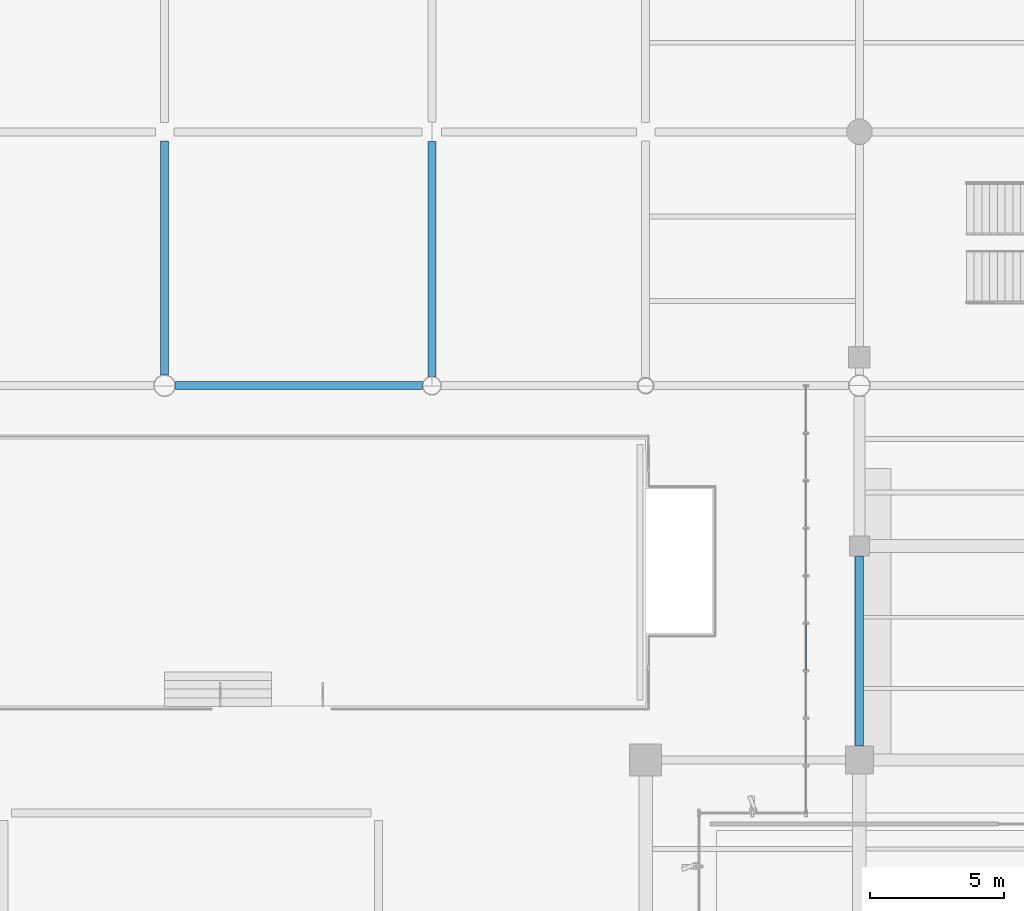
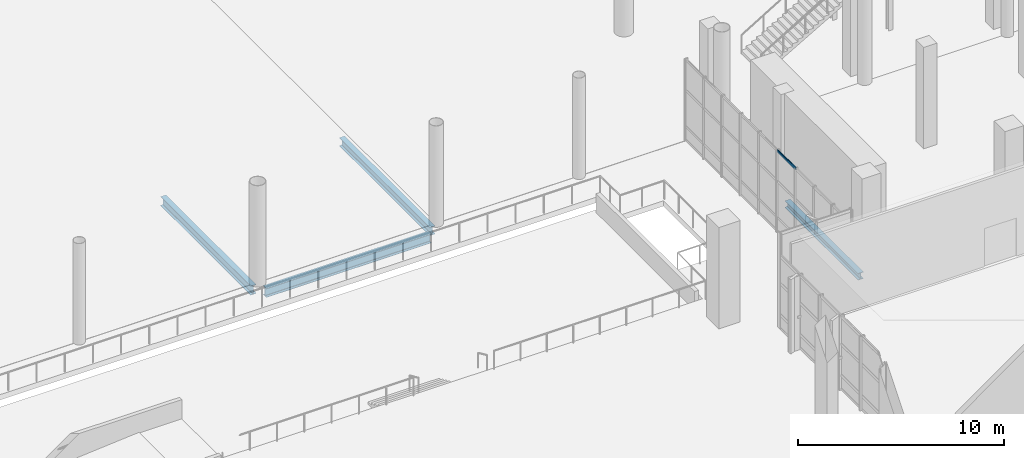
# One storey, part 62 of 163: 4 beams, 1 member, 1 element without a shape of its own.
"""IFC4 building model written with IfcOpenShell, lengths in metres."""

import ifcopenshell
import ifcopenshell.guid

model = None  # the IFC model being written
_history = None  # IfcOwnerHistory: only IFC2X3 demands one
_inside = {}  # id of a spatial element -> (the spatial element, [elements in it])
_under = {}  # id of a project, library or spatial element -> (it, [spatial elements below it])
_declared = {}  # id of a project -> (the project, [libraries it declares])
_typed = {}  # id of a type object -> (the type object, [elements of that type])
_made_of = {}  # id of a material, layer set ... -> (it, [elements and type objects made of it])


def new_model(schema):
    """Start an empty IFC model of exactly this schema.

    Asked for "IFC4X3", IfcOpenShell would pick the latest addendum, in which some entities
    have other attributes; the version numbers below select the first issue.
    IFC2X3 requires an IfcOwnerHistory on every rooted entity: one is made here for all.
    """
    global model, _history
    if schema == "IFC4X3":
        model = ifcopenshell.file(schema_version=(4, 3, 0, 0))
    else:
        model = ifcopenshell.file(schema=schema)
    _inside.clear()
    _under.clear()
    _declared.clear()
    _typed.clear()
    _made_of.clear()
    _history = None
    if model.schema == "IFC2X3":
        org = make("IfcOrganization", Name="unknown")
        user = make(
            "IfcPersonAndOrganization",
            ThePerson=make("IfcPerson", FamilyName="unknown"),
            TheOrganization=org,
        )
        app = make(
            "IfcApplication",
            ApplicationDeveloper=org,
            Version="unknown",
            ApplicationFullName="unknown",
            ApplicationIdentifier="unknown",
        )
        _history = make(
            "IfcOwnerHistory",
            OwningUser=user,
            OwningApplication=app,
            ChangeAction="ADDED",
            CreationDate=0,
        )
    return model


def make(cls, **values):
    """One entity of the class cls with the attributes given. An attribute that is None is left unset."""
    return model.create_entity(
        cls, **{name: value for name, value in values.items() if value is not None}
    )


def rooted(cls, **values):
    """An entity with a GlobalId (a new one), such as an element, a storey or a relation."""
    return make(cls, GlobalId=ifcopenshell.guid.new(), OwnerHistory=_history, **values)


def si_unit(unit_type, name, prefix=None):
    """IfcSIUnit, for example si_unit("LENGTHUNIT", "METRE", prefix="MILLI")."""
    return make("IfcSIUnit", UnitType=unit_type, Prefix=prefix, Name=name)


def assignment(units):
    """IfcUnitAssignment: the units of a project."""
    return None if units is None else make("IfcUnitAssignment", Units=units)


def point(xyz):
    """IfcCartesianPoint."""
    return None if xyz is None else make("IfcCartesianPoint", Coordinates=xyz)


def direction(xyz):
    """IfcDirection."""
    return None if xyz is None else make("IfcDirection", DirectionRatios=xyz)


def frame(location, z_axis=None, x_axis=None):
    """IfcAxis2Placement3D, a coordinate frame: its origin and axes. An axis left out is left unset."""
    return make(
        "IfcAxis2Placement3D",
        Location=point(location),
        Axis=direction(z_axis),
        RefDirection=direction(x_axis),
    )


def frame_2d(location, x_axis=None):
    """IfcAxis2Placement2D, a coordinate frame in the plane: its origin and x axis."""
    return make(
        "IfcAxis2Placement2D", Location=point(location), RefDirection=direction(x_axis)
    )


def origin():
    """The frame at (0, 0, 0) with its axes left unset."""
    return frame((0.0, 0.0, 0.0))


def origin_2d():
    """The frame at (0, 0) in the plane with its x axis left unset."""
    return frame_2d((0.0, 0.0))


def place(relative_to, where):
    """IfcLocalPlacement: puts the frame where relative to a parent placement (None: the world)."""
    return make(
        "IfcLocalPlacement", PlacementRelTo=relative_to, RelativePlacement=where
    )


def context(
    kind, dimensions, precision=None, world=None, true_north=None, identifier=None
):
    """IfcGeometricRepresentationContext, for example the 3D "Model" context."""
    return make(
        "IfcGeometricRepresentationContext",
        ContextIdentifier=identifier,
        ContextType=kind,
        CoordinateSpaceDimension=dimensions,
        Precision=precision,
        WorldCoordinateSystem=world,
        TrueNorth=true_north,
    )


def subcontext(parent, identifier, kind, view, scale=None):
    """IfcGeometricRepresentationSubContext, for example "Body" below "Model"."""
    return make(
        "IfcGeometricRepresentationSubContext",
        ContextIdentifier=identifier,
        ContextType=kind,
        ParentContext=parent,
        TargetScale=scale,
        TargetView=view,
    )


def project(units=None, contexts=None):
    """IfcProject with its units and contexts."""
    return rooted(
        "IfcProject",
        Name="project",
        RepresentationContexts=contexts,
        UnitsInContext=assignment(units),
    )


def spatial(cls, under=None, at=None, **own):
    """A site, building, storey or space (cls), placed at a placement, below another one or the project."""
    s = rooted(cls, ObjectPlacement=at, **own)
    if under is not None:
        _under.setdefault(under.id(), (under, []))[1].append(s)
    return s


def profile(cls, at=None, kind="AREA", **sizes):
    """A parametric profile (cls). Its sizes go by their IFC names, for example OverallWidth=200.0."""
    return make(cls, ProfileType=kind, Position=at, **sizes)


def hollow_rectangle(**sizes):
    """IfcRectangleHollowProfileDef."""
    return profile("IfcRectangleHollowProfileDef", **sizes)


def i_section(**sizes):
    """IfcIShapeProfileDef."""
    return profile("IfcIShapeProfileDef", **sizes)


def extrude(swept, where, along, depth):
    """IfcExtrudedAreaSolid: the profile swept, set in the frame where, extruded along a direction by depth."""
    return make(
        "IfcExtrudedAreaSolid",
        SweptArea=swept,
        Position=where,
        ExtrudedDirection=direction(along),
        Depth=depth,
    )


def shape(context_of_items, identifier, shape_type, items):
    """IfcShapeRepresentation: the items that make up one representation, for example the "Body"."""
    return make(
        "IfcShapeRepresentation",
        ContextOfItems=context_of_items,
        RepresentationIdentifier=identifier,
        RepresentationType=shape_type,
        Items=items,
    )


def material(Name=None, Category=None):
    """IfcMaterial."""
    return make("IfcMaterial", Name=Name, Category=Category)


def layer(
    of_material, thickness, ventilated=None, Name=None, Category=None, Priority=None
):
    """IfcMaterialLayer: one layer of a wall or slab, of a material (None: an air gap)."""
    return make(
        "IfcMaterialLayer",
        Material=of_material,
        LayerThickness=thickness,
        IsVentilated=ventilated,
        Name=Name,
        Category=Category,
        Priority=Priority,
    )


def layer_set(layers, Name=None):
    """IfcMaterialLayerSet."""
    return make("IfcMaterialLayerSet", MaterialLayers=layers, LayerSetName=Name)


def material_profile(
    of_material, cross_section, Name=None, Category=None, Priority=None
):
    """IfcMaterialProfile: a cross section and its material."""
    return make(
        "IfcMaterialProfile",
        Name=Name,
        Material=of_material,
        Profile=cross_section,
        Priority=Priority,
        Category=Category,
    )


def profile_set(profiles, Name=None, composite=None):
    """IfcMaterialProfileSet."""
    return make(
        "IfcMaterialProfileSet",
        Name=Name,
        MaterialProfiles=profiles,
        CompositeProfile=composite,
    )


def made_of(thing, what):
    """Note that an element or type object is made of a material, layer set ...; save() writes the relation."""
    if what is not None:
        _made_of.setdefault(what.id(), (what, []))[1].append(thing)
    return thing


def type_object(cls, material=None, **own):
    """A type object (cls), such as IfcWallType, which elements share."""
    return made_of(rooted(cls, **own), material)


def element(
    cls,
    number,
    at=None,
    inside=None,
    cuts=None,
    type_object=None,
    material=None,
    context=None,
    identifier="Body",
    shape_type=None,
    held_by="IfcProductDefinitionShape",
    body=None,
    shapes=None,
    **own,
):
    """One element of the class cls, such as IfcWall. Its Tag is "e" and its number.

    at: its placement. inside: the storey or other place that contains it. cuts: it is an
    opening in that element (IfcRelVoidsElement). A single representation is given by context,
    identifier, shape_type and body (its items); several are given by shapes. held_by: the class
    of the entity that holds the representations. save() writes the other relations.
    """
    e = rooted(cls, Tag="e%d" % number, ObjectPlacement=at, **own)
    if body is not None:
        shapes = [shape(context, identifier, shape_type, body)]
    if shapes is not None:
        e.Representation = make(held_by, Representations=shapes)
    if inside is not None:
        _inside.setdefault(inside.id(), (inside, []))[1].append(e)
    if cuts is not None:
        rooted(
            "IfcRelVoidsElement", RelatingBuildingElement=cuts, RelatedOpeningElement=e
        )
    if type_object is not None:
        _typed.setdefault(type_object.id(), (type_object, []))[1].append(e)
    return made_of(e, material)


def aggregate(whole, parts):
    """IfcRelAggregates: a whole, such as a stair, and the parts it consists of."""
    return rooted("IfcRelAggregates", RelatingObject=whole, RelatedObjects=parts)


def save(model, path):
    """Write the relations noted so far, then the file.

    IfcRelAggregates (storeys below a building ...), IfcRelContainedInSpatialStructure (elements
    in a storey), IfcRelDefinesByType, IfcRelAssociatesMaterial and IfcRelDeclares: one each for
    every whole, place, type object, material and project.
    """
    for whole, parts in _under.values():
        aggregate(whole, parts)
    for where, things in _inside.values():
        rooted(
            "IfcRelContainedInSpatialStructure",
            RelatedElements=things,
            RelatingStructure=where,
        )
    for kind, things in _typed.values():
        rooted("IfcRelDefinesByType", RelatedObjects=things, RelatingType=kind)
    for what, things in _made_of.values():
        rooted("IfcRelAssociatesMaterial", RelatedObjects=things, RelatingMaterial=what)
    for by, libraries in _declared.values():
        rooted("IfcRelDeclares", RelatingContext=by, RelatedDefinitions=libraries)
    model.write(path)


model = new_model("IFC4")

# Units and contexts
model_context = context("Model", 3, precision=1e-05, world=origin(), true_north=direction((0.0, 1.0)))
body_context = subcontext(model_context, "Body", "Model", "MODEL_VIEW")
ifc_project = project(units=[si_unit("LENGTHUNIT", "METRE"), si_unit("AREAUNIT", "SQUARE_METRE"), si_unit("VOLUMEUNIT", "CUBIC_METRE"), si_unit("PLANEANGLEUNIT", "RADIAN"), si_unit("MASSUNIT", "GRAM", prefix="KILO")], contexts=[model_context])

# Site, building, storey
site_placement = place(None, origin())
site = spatial("IfcSite", under=ifc_project, at=site_placement, CompositionType="ELEMENT")
building_placement = place(site_placement, origin())
building = spatial("IfcBuilding", under=site, at=building_placement, Name="Khorjan Park Terminus", CompositionType="ELEMENT")
storey_placement = place(building_placement, origin())
storey = spatial("IfcBuildingStorey", under=building, at=storey_placement, Name="L00", CompositionType="ELEMENT", Elevation=0.0)

# Beams
ifc_material_1 = material(Name="Steel S355", Category="steel")
ifc_material_profile_1 = material_profile(ifc_material_1, i_section(OverallWidth=0.3, OverallDepth=0.49, WebThickness=0.012, FlangeThickness=0.023, FilletRadius=0.027, at=origin_2d()), Name="HEA 500")
ifc_profile_set_1 = profile_set([ifc_material_profile_1], Name="Steel S355")
beam_type_1 = type_object("IfcBeamType", Name="BM-HEA500", PredefinedType="BEAM", material=ifc_profile_set_1)
beam_1_placement = place(storey_placement, frame((40.0, 102.3505, -0.665), z_axis=(0.0, 1.0, 0.0), x_axis=(-1.0, 0.0, 0.0)))
element("IfcBeam", 1, at=beam_1_placement, inside=storey, type_object=beam_type_1, Name="Primary floor girder SB-A50 (L00)", PredefinedType="BEAM", context=body_context, shape_type="SweptSolid", body=[
    extrude(i_section(OverallWidth=0.3, OverallDepth=0.49, WebThickness=0.012, FlangeThickness=0.023, FilletRadius=0.027, at=origin_2d()), origin(), (0.0, 0.0, 1.0), 8.7795),
])
ifc_material_profile_2 = material_profile(ifc_material_1, i_section(OverallWidth=0.3, OverallDepth=0.54, WebThickness=0.0125, FlangeThickness=0.024, FilletRadius=0.027, at=origin_2d()), Name="HEA 550")
ifc_profile_set_2 = profile_set([ifc_material_profile_2], Name="Steel S355")
beam_type_2 = type_object("IfcBeamType", Name="BM-HEA550", PredefinedType="BEAM", material=ifc_profile_set_2)
beam_2_placement = place(storey_placement, frame((30.4015, 102.0, -0.69), z_axis=(1.0, 0.0, 0.0), x_axis=(0.0, 1.0, 0.0)))
element("IfcBeam", 2, at=beam_2_placement, inside=storey, type_object=beam_type_2, Name="Primary floor girder SB-A55 (L00)", PredefinedType="BEAM", context=body_context, shape_type="SweptSolid", body=[
    extrude(i_section(OverallWidth=0.3, OverallDepth=0.54, WebThickness=0.0125, FlangeThickness=0.024, FilletRadius=0.027, at=origin_2d()), origin(), (0.0, 0.0, 1.0), 9.248),
])
beam_3_placement = place(storey_placement, frame((30.0, 102.4015, -0.69), z_axis=(0.0, 1.0, 0.0), x_axis=(-1.0, 0.0, 0.0)))
element("IfcBeam", 3, at=beam_3_placement, inside=storey, type_object=beam_type_2, Name="Primary floor girder SB-A55 (L00)", PredefinedType="BEAM", context=body_context, shape_type="SweptSolid", body=[
    extrude(i_section(OverallWidth=0.3, OverallDepth=0.54, WebThickness=0.0125, FlangeThickness=0.024, FilletRadius=0.027, at=origin_2d()), origin(), (0.0, 0.0, 1.0), 8.7535),
])
ifc_material_profile_3 = material_profile(ifc_material_1, i_section(OverallWidth=0.3, OverallDepth=0.4, WebThickness=0.0135, FlangeThickness=0.024, FilletRadius=0.027, at=origin_2d()), Name="HEB 400")
ifc_profile_set_3 = profile_set([ifc_material_profile_3], Name="Steel S355")
beam_type_3 = type_object("IfcBeamType", Name="BM-HEB400", PredefinedType="BEAM", material=ifc_profile_set_3)
beam_4_placement = place(storey_placement, frame((56.0, 88.52, -0.56), z_axis=(0.0, 1.0, 0.0), x_axis=(-1.0, 0.0, 0.0)))
element("IfcBeam", 4, at=beam_4_placement, inside=storey, type_object=beam_type_3, Name="Primary floor girder SB-B40 (L00)", PredefinedType="BEAM", context=body_context, shape_type="SweptSolid", body=[
    extrude(i_section(OverallWidth=0.3, OverallDepth=0.4, WebThickness=0.0135, FlangeThickness=0.024, FilletRadius=0.027, at=origin_2d()), origin(), (0.0, 0.0, 1.0), 7.11),
])

# Curtain wall, member
ifc_material_2 = material(Name="Anodized Bronze Aluminium", Category="aluminium")
ifc_layer = layer(ifc_material_2, 0.22)
ifc_layer_set = layer_set([ifc_layer], Name="Anodized Bronze Aluminium")
curtain_wall_type = type_object("IfcCurtainWallType", Name="CW-BRG-D", PredefinedType="NOTDEFINED", material=ifc_layer_set)
curtain_wall_placement = place(storey_placement, origin())
curtain_wall = element("IfcCurtainWall", 5, at=curtain_wall_placement, inside=storey, type_object=curtain_wall_type, Name="Unitized curtain wall CW-D (CW-NKW-W-L00)", PredefinedType="NOTDEFINED")
ifc_material_profile_4 = material_profile(ifc_material_2, hollow_rectangle(XDim=0.065, YDim=0.14, WallThickness=0.004, InnerFilletRadius=0.004, OuterFilletRadius=0.008, at=origin_2d()), Name="ALT 65x140x4")
ifc_profile_set_4 = profile_set([ifc_material_profile_4], Name="Anodized Bronze Aluminium")
member_type = type_object("IfcMemberType", Name="TR-ALT-140", PredefinedType="USERDEFINED", material=ifc_profile_set_4)
member_placement = place(storey_placement, frame((54.0, 93.1111, 4.785), z_axis=(0.0, -1.0, 0.0), x_axis=(1.0, 0.0, 0.0)))
member = element("IfcMember", 6, at=member_placement, type_object=member_type, Name="Curtain-wall transom TR-14 (CW-NKW-W-L00-5-4)", ObjectType="TRANSOM", PredefinedType="USERDEFINED", context=body_context, shape_type="SweptSolid", body=[
    extrude(hollow_rectangle(XDim=0.065, YDim=0.14, WallThickness=0.004, InnerFilletRadius=0.004, OuterFilletRadius=0.008, at=origin_2d()), origin(), (0.0, 0.0, 1.0), 1.7778),
])
aggregate(curtain_wall, [member])

save(model, "model.ifc")
